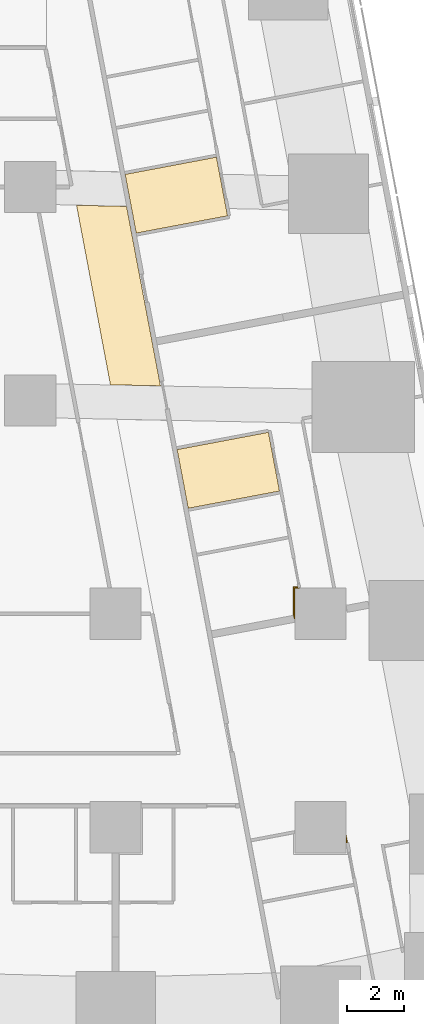
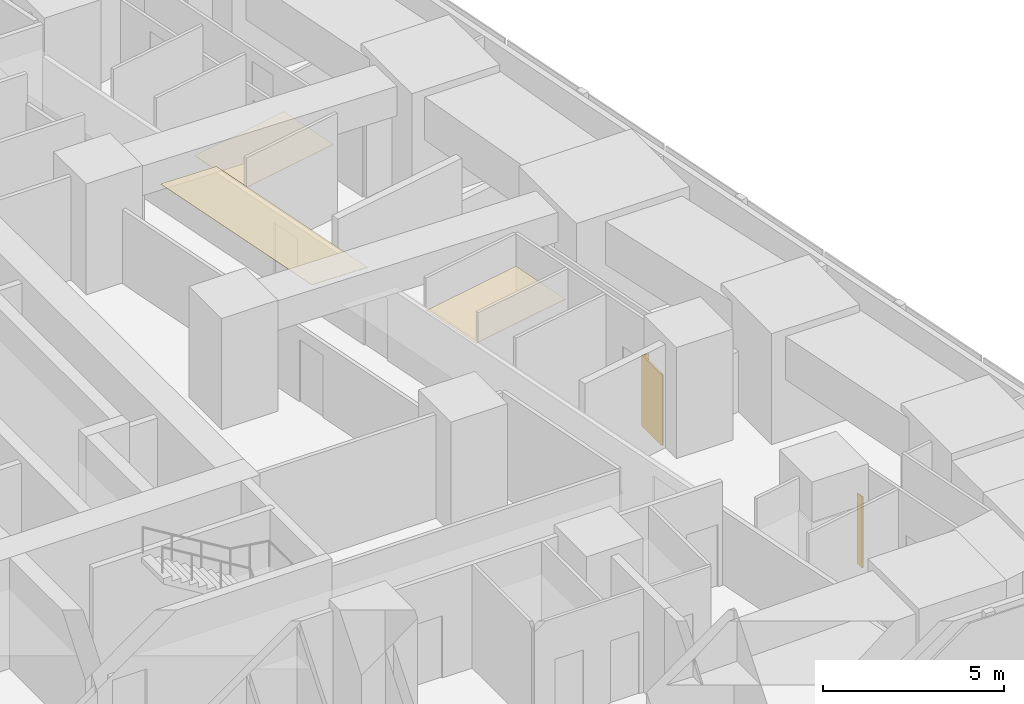
# One storey, part 15 of 16: 5 coverings.
"""IFC4 building model written with IfcOpenShell, lengths in metres."""

from ifc_helpers import new_model, si_unit, direction, frame, origin, place, context, subcontext, project, spatial, polyline, outline, extrude, material, layer, layer_set, type_object, element, save


model = new_model("IFC4")

# Units and contexts
model_context = context("Model", 3, precision=1e-05, world=origin(), true_north=direction((0.0, 1.0)))
body_context = subcontext(model_context, "Body", "Model", "MODEL_VIEW")
ifc_project = project(units=[si_unit("LENGTHUNIT", "METRE"), si_unit("AREAUNIT", "SQUARE_METRE"), si_unit("VOLUMEUNIT", "CUBIC_METRE"), si_unit("PLANEANGLEUNIT", "RADIAN"), si_unit("MASSUNIT", "GRAM", prefix="KILO")], contexts=[model_context])

# Site, building, storey
site_placement = place(None, origin())
site = spatial("IfcSite", under=ifc_project, at=site_placement, CompositionType="ELEMENT")
building_placement = place(site_placement, origin())
building = spatial("IfcBuilding", under=site, at=building_placement, Name="Sheger Commons Tower", CompositionType="ELEMENT")
storey_placement = place(building_placement, frame((0.0, 0.0, 57.5)))
storey = spatial("IfcBuildingStorey", under=building, at=storey_placement, Name="L14", CompositionType="ELEMENT", Elevation=57.5)

# Coverings
ifc_material_1 = material(Name="Moisture-resistant gypsum plasterboard 15 mm on a suspended galvanised steel grid", Category="steel")
ifc_layer_1 = layer(ifc_material_1, 0.014892578125)
ifc_layer_set_1 = layer_set([ifc_layer_1], Name="MOISTURE-RESISTANT CEILING 15")
covering_type_1 = type_object("IfcCoveringType", Name="MOISTURE-RESISTANT CEILING 15", PredefinedType="CEILING", material=ifc_layer_set_1)
covering_1_placement = place(storey_placement, frame((0.0, 0.0, 2.39990234375)))
element("IfcCovering", 1, at=covering_1_placement, inside=storey, type_object=covering_type_1, Name="L14-09.B1 ceiling", PredefinedType="CEILING", context=body_context, shape_type="SweptSolid", body=[
    extrude(outline(polyline([(36.72509765625, 28.37890625), (39.93310546875, 28.986083984375), (39.54296875, 31.049072265625), (36.3349609375, 30.443115234375), (36.72509765625, 28.37890625)])), origin(), (0.0, 0.0, 1.0), 0.01513671875),
])
covering_2_placement = place(storey_placement, frame((0.0, 0.0, 2.39990234375)))
element("IfcCovering", 2, at=covering_2_placement, inside=storey, type_object=covering_type_1, Name="L14-10.B1 ceiling", PredefinedType="CEILING", context=body_context, shape_type="SweptSolid", body=[
    extrude(outline(polyline([(38.552001953125, 18.7080078125), (41.760009765625, 19.31396484375), (41.3701171875, 21.3779296875), (38.162109375, 20.77197265625), (38.552001953125, 18.7080078125)])), origin(), (0.0, 0.0, 1.0), 0.01513671875),
])
ifc_material_2 = material(Name="Gypsum plasterboard 15 mm on a suspended steel grid", Category="steel")
ifc_layer_2 = layer(ifc_material_2, 0.014892578125)
ifc_layer_set_2 = layer_set([ifc_layer_2], Name="SUSPENDED CEILING 15")
covering_type_2 = type_object("IfcCoveringType", Name="SUSPENDED CEILING 15", PredefinedType="CEILING", material=ifc_layer_set_2)
covering_3_placement = place(storey_placement, frame((0.0, 0.0, 2.699951171875)))
element("IfcCovering", 3, at=covering_3_placement, inside=storey, type_object=covering_type_2, Name="L14-CO ceiling", PredefinedType="CEILING", context=body_context, shape_type="SweptSolid", body=[
    extrude(outline(polyline([(37.575927734375, 23.011962890625), (36.385009765625, 29.318115234375), (34.626953125, 29.35791015625), (35.819091796875, 23.048095703125), (37.575927734375, 23.011962890625)])), origin(), (0.0, 0.0, 1.0), 0.01513671875),
])
ifc_material_3 = material(Name="Moisture-resistant gypsum board 12.5 mm on 25 mm treated timber battens, tanked and tiled", Category="wood")
ifc_layer_3 = layer(ifc_material_3, 0.050048828125)
ifc_layer_set_3 = layer_set([ifc_layer_3], Name="WET-ROOM COLUMN LINING")
covering_type_3 = type_object("IfcCoveringType", Name="WET-ROOM COLUMN LINING", PredefinedType="CLADDING", material=ifc_layer_set_3)
covering_4_placement = place(storey_placement, origin())
element("IfcCovering", 4, at=covering_4_placement, inside=storey, type_object=covering_type_3, Name="Bathroom column lining C8 L14", PredefinedType="CLADDING", context=body_context, shape_type="SweptSolid", body=[
    extrude(outline(polyline([(44.10009765625, 7.220947265625), (44.14892578125, 6.9599609375), (44.10009765625, 6.950927734375), (44.10009765625, 7.220947265625)])), origin(), (0.0, 0.0, 1.0), 2.39990234375),
])
covering_5_placement = place(storey_placement, origin())
element("IfcCovering", 5, at=covering_5_placement, inside=storey, type_object=covering_type_3, Name="Store and laundry column lining C8 L14", PredefinedType="CLADDING", context=body_context, shape_type="SweptSolid", body=[
    extrude(outline(polyline([(42.40087890625, 15.949951171875), (42.409912109375, 15.90087890625), (42.458984375, 15.909912109375), (42.4609375, 15.89990234375), (42.300048828125, 15.89990234375), (42.300048828125, 14.830078125), (42.27587890625, 14.824951171875), (42.2529296875, 14.947998046875), (42.25, 14.947021484375), (42.25, 15.949951171875), (42.40087890625, 15.949951171875)])), origin(), (0.0, 0.0, 1.0), 2.39990234375),
])

save(model, "model.ifc")
